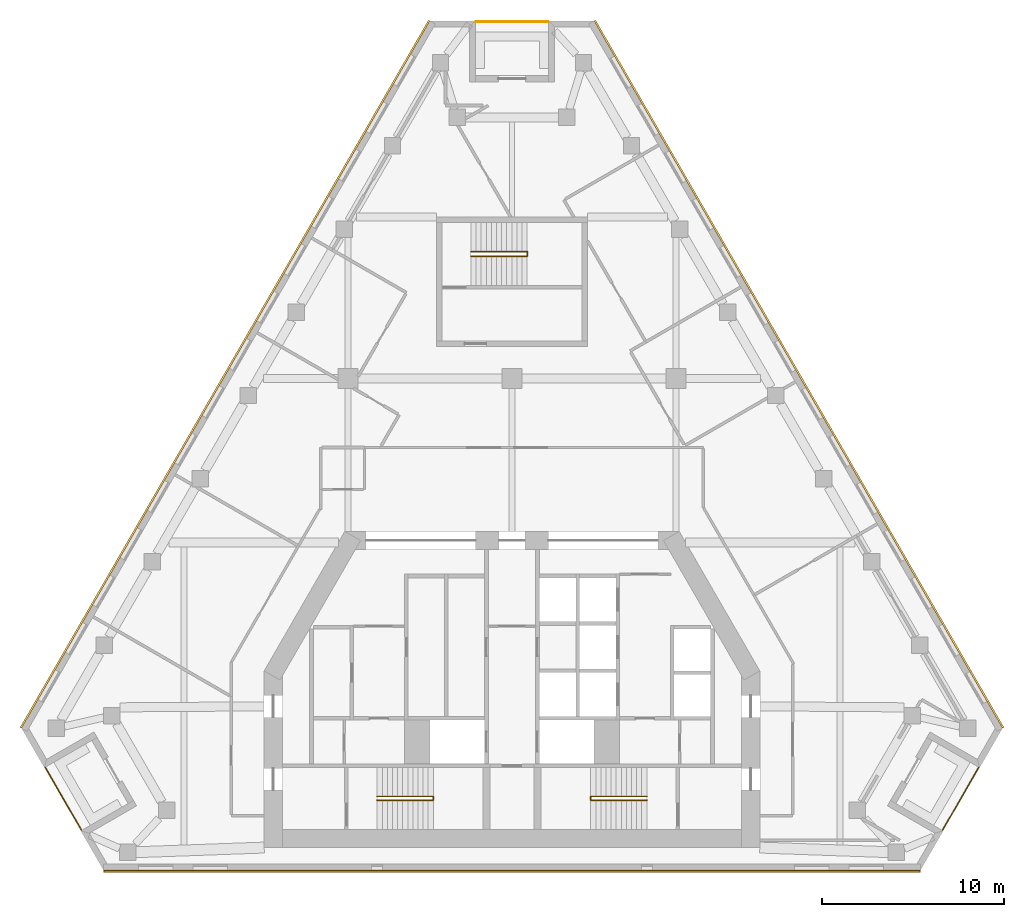
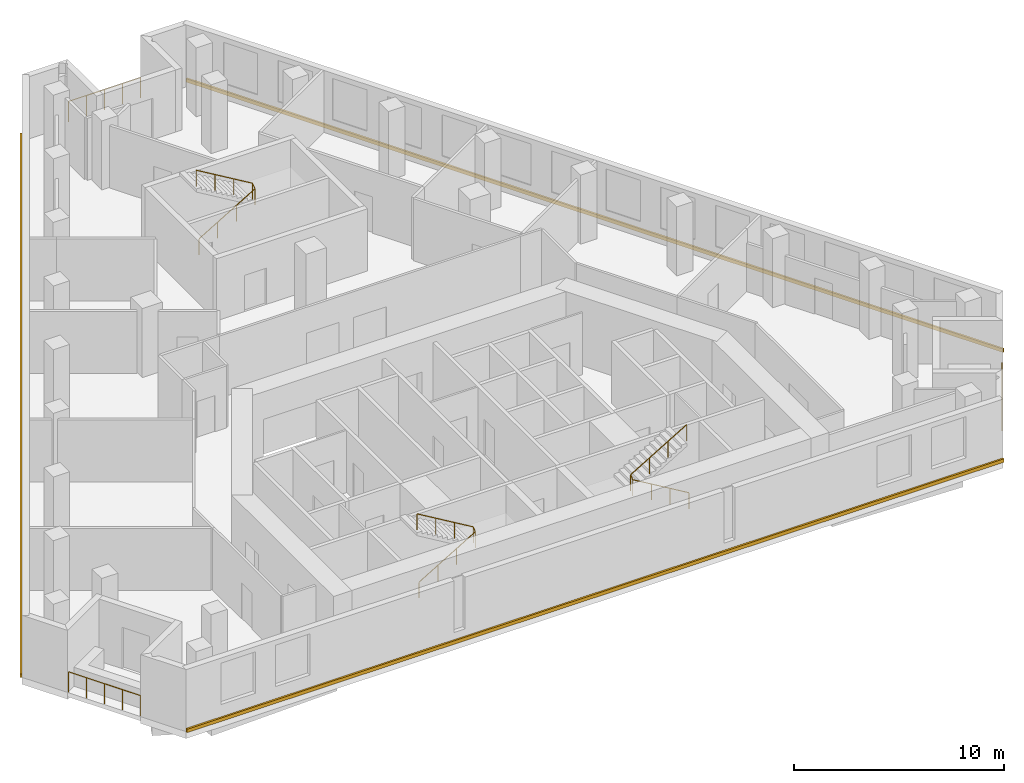
# One storey, part 8 of 8: 6 railings, 3 coverings.
"""IFC4 building model written with IfcOpenShell, lengths in metres."""

from ifc_helpers import new_model, si_unit, direction, frame, origin, origin_2d, place, context, subcontext, project, spatial, polyline, circle, outline, extrude, material, type_object, element, save


model = new_model("IFC4")

# Units and contexts
model_context = context("Model", 3, precision=1e-05, world=origin(), true_north=direction((0.0, 1.0)))
body_context = subcontext(model_context, "Body", "Model", "MODEL_VIEW")
ifc_project = project(units=[si_unit("LENGTHUNIT", "METRE"), si_unit("AREAUNIT", "SQUARE_METRE"), si_unit("VOLUMEUNIT", "CUBIC_METRE"), si_unit("PLANEANGLEUNIT", "RADIAN"), si_unit("MASSUNIT", "GRAM", prefix="KILO")], contexts=[model_context])

# Site, building, storey
site_placement = place(None, origin())
site = spatial("IfcSite", under=ifc_project, at=site_placement, CompositionType="ELEMENT")
building_placement = place(site_placement, origin())
building = spatial("IfcBuilding", under=site, at=building_placement, Name="Fogline Exchange Tower", CompositionType="ELEMENT")
storey_placement = place(building_placement, frame((0.0, 0.0, 227.5)))
storey = spatial("IfcBuildingStorey", under=building, at=storey_placement, Name="L51", CompositionType="ELEMENT", Elevation=227.5)

# Railings
ifc_material_1 = material(Name="Stainless steel 304", Category="steel")
railing_type_1 = type_object("IfcRailingType", Name="G1", PredefinedType="GUARDRAIL", material=ifc_material_1)
railing_1_placement = place(storey_placement, frame((-25.6103515625, 5.635986328125, 0.0)))
element("IfcRailing", 1, at=railing_1_placement, inside=storey, type_object=railing_type_1, Name="Balcony guard L51 SW", PredefinedType="GUARDRAIL", context=body_context, shape_type="SweptSolid", body=[
    extrude(circle(Radius=0.02392578125, at=origin_2d()), frame((0.0, 0.0, 1.17578125), z_axis=(0.500000102728, -0.866025344474, 0.0), x_axis=(0.866025344474, 0.500000102728, 0.0)), (0.0, 0.0, 1.0), 3.9580078125),
    extrude(circle(Radius=0.02099609375, at=origin_2d()), origin(), (0.0, 0.0, 1.0), 1.15185546875),
    extrude(circle(Radius=0.02099609375, at=origin_2d()), frame((0.49462890625, -0.85693359375, 0.0)), (0.0, 0.0, 1.0), 1.15185546875),
    extrude(circle(Radius=0.02099609375, at=origin_2d()), frame((0.989501953125, -1.7138671875, 0.0)), (0.0, 0.0, 1.0), 1.15185546875),
    extrude(circle(Radius=0.02099609375, at=origin_2d()), frame((1.484375, -2.57080078125, 0.0)), (0.0, 0.0, 1.0), 1.15185546875),
    extrude(circle(Radius=0.02099609375, at=origin_2d()), frame((1.97900390625, -3.427734375, 0.0)), (0.0, 0.0, 1.0), 1.15185546875),
])
railing_2_placement = place(storey_placement, frame((23.63134765625, 2.208251953125, 0.0)))
element("IfcRailing", 2, at=railing_2_placement, inside=storey, type_object=railing_type_1, Name="Balcony guard L51 SE", PredefinedType="GUARDRAIL", context=body_context, shape_type="SweptSolid", body=[
    extrude(circle(Radius=0.02392578125, at=origin_2d()), frame((0.0, 0.0, 1.17578125), z_axis=(0.500000102728, 0.866025344474, 0.0), x_axis=(-0.866025344474, 0.500000102728, 0.0)), (0.0, 0.0, 1.0), 3.9580078125),
    extrude(circle(Radius=0.02099609375, at=origin_2d()), origin(), (0.0, 0.0, 1.0), 1.15185546875),
    extrude(circle(Radius=0.02099609375, at=origin_2d()), frame((0.49462890625, 0.85693359375, 0.0)), (0.0, 0.0, 1.0), 1.15185546875),
    extrude(circle(Radius=0.02099609375, at=origin_2d()), frame((0.989501953125, 1.7138671875, 0.0)), (0.0, 0.0, 1.0), 1.15185546875),
    extrude(circle(Radius=0.02099609375, at=origin_2d()), frame((1.484375, 2.57080078125, 0.0)), (0.0, 0.0, 1.0), 1.15185546875),
    extrude(circle(Radius=0.02099609375, at=origin_2d()), frame((1.97900390625, 3.427734375, 0.0)), (0.0, 0.0, 1.0), 1.15185546875),
])
railing_3_placement = place(storey_placement, frame((1.97900390625, 46.566650390625, 0.0)))
element("IfcRailing", 3, at=railing_3_placement, inside=storey, type_object=railing_type_1, Name="Balcony guard L51 N", PredefinedType="GUARDRAIL", context=body_context, shape_type="SweptSolid", body=[
    extrude(circle(Radius=0.02392578125, at=origin_2d()), frame((0.0, 0.0, 1.17578125), z_axis=(-1.0, 0.0, 0.0), x_axis=(0.0, -1.0, 0.0)), (0.0, 0.0, 1.0), 3.9580078125),
    extrude(circle(Radius=0.02099609375, at=origin_2d()), origin(), (0.0, 0.0, 1.0), 1.15185546875),
    extrude(circle(Radius=0.02099609375, at=origin_2d()), frame((-0.989501953125, 0.0, 0.0)), (0.0, 0.0, 1.0), 1.15185546875),
    extrude(circle(Radius=0.02099609375, at=origin_2d()), frame((-1.97900390625, 0.0, 0.0)), (0.0, 0.0, 1.0), 1.15185546875),
    extrude(circle(Radius=0.02099609375, at=origin_2d()), frame((-2.968505859375, 0.0, 0.0)), (0.0, 0.0, 1.0), 1.15185546875),
    extrude(circle(Radius=0.02099609375, at=origin_2d()), frame((-3.9580078125, 0.0, 0.0)), (0.0, 0.0, 1.0), 1.15185546875),
])
ifc_material_2 = material(Name="Steel Q235B", Category="steel")
railing_type_2 = type_object("IfcRailingType", Name="RL-HR", PredefinedType="HANDRAIL", material=ifc_material_2)
railing_4_placement = place(storey_placement, frame((-7.39990234375, 3.85009765625, 0.166748046875)))
element("IfcRailing", 4, at=railing_4_placement, inside=storey, type_object=railing_type_2, Name="Handrail ST1", PredefinedType="HANDRAIL", context=body_context, shape_type="SweptSolid", body=[
    extrude(circle(Radius=0.02392578125, at=origin_2d()), frame((0.0, 0.0, 0.92578125), z_axis=(0.859290745958, 0.0, 0.51148745235), x_axis=(0.0, 1.0, 0.0)), (0.0, 0.0, 1.0), 3.584228515625),
    extrude(circle(Radius=0.02392578125, at=origin_2d()), frame((3.079833984375, 0.0, 2.75927734375), z_axis=(0.0, 0.767990643491, 0.640461061666), x_axis=(-1.0, 0.0, 0.0)), (0.0, 0.0, 1.0), 0.26025390625),
    extrude(circle(Radius=0.02392578125, at=origin_2d()), frame((3.079833984375, 0.199951171875, 2.92578125), z_axis=(-0.859290745958, 0.0, 0.51148745235), x_axis=(0.0, -1.0, 0.0)), (0.0, 0.0, 1.0), 3.584228515625),
    extrude(circle(Radius=0.02099609375, at=origin_2d()), origin(), (0.0, 0.0, 1.0), 0.90185546875),
    extrude(circle(Radius=0.02099609375, at=origin_2d()), frame((1.026611328125, 0.0, 0.611083984375)), (0.0, 0.0, 1.0), 0.90185546875),
    extrude(circle(Radius=0.02099609375, at=origin_2d()), frame((2.05322265625, 0.0, 1.22216796875)), (0.0, 0.0, 1.0), 0.90185546875),
    extrude(circle(Radius=0.02099609375, at=origin_2d()), frame((3.079833984375, 0.0, 1.833251953125)), (0.0, 0.0, 1.0), 0.90185546875),
    extrude(circle(Radius=0.02099609375, at=origin_2d()), frame((3.079833984375, 0.199951171875, 2.0)), (0.0, 0.0, 1.0), 0.90185546875),
    extrude(circle(Radius=0.02099609375, at=origin_2d()), frame((2.05322265625, 0.199951171875, 2.611083984375)), (0.0, 0.0, 1.0), 0.90185546875),
    extrude(circle(Radius=0.02099609375, at=origin_2d()), frame((1.026611328125, 0.199951171875, 3.22216796875)), (0.0, 0.0, 1.0), 0.90185546875),
    extrude(circle(Radius=0.02099609375, at=origin_2d()), frame((0.0, 0.199951171875, 3.833251953125)), (0.0, 0.0, 1.0), 0.90185546875),
])
railing_5_placement = place(storey_placement, frame((7.39990234375, 3.85009765625, 0.166748046875)))
element("IfcRailing", 5, at=railing_5_placement, inside=storey, type_object=railing_type_2, Name="Handrail ST2", PredefinedType="HANDRAIL", context=body_context, shape_type="SweptSolid", body=[
    extrude(circle(Radius=0.02392578125, at=origin_2d()), frame((0.0, 0.0, 0.92578125), z_axis=(-0.859290745958, 0.0, 0.51148745235), x_axis=(0.0, -1.0, 0.0)), (0.0, 0.0, 1.0), 3.584228515625),
    extrude(circle(Radius=0.02392578125, at=origin_2d()), frame((-3.079833984375, 0.0, 2.75927734375), z_axis=(0.0, 0.767990643491, 0.640461061666), x_axis=(-1.0, 0.0, 0.0)), (0.0, 0.0, 1.0), 0.26025390625),
    extrude(circle(Radius=0.02392578125, at=origin_2d()), frame((-3.079833984375, 0.199951171875, 2.92578125), z_axis=(0.859290745958, 0.0, 0.51148745235), x_axis=(0.0, 1.0, 0.0)), (0.0, 0.0, 1.0), 3.584228515625),
    extrude(circle(Radius=0.02099609375, at=origin_2d()), origin(), (0.0, 0.0, 1.0), 0.90185546875),
    extrude(circle(Radius=0.02099609375, at=origin_2d()), frame((-1.026611328125, 0.0, 0.611083984375)), (0.0, 0.0, 1.0), 0.90185546875),
    extrude(circle(Radius=0.02099609375, at=origin_2d()), frame((-2.05322265625, 0.0, 1.22216796875)), (0.0, 0.0, 1.0), 0.90185546875),
    extrude(circle(Radius=0.02099609375, at=origin_2d()), frame((-3.079833984375, 0.0, 1.833251953125)), (0.0, 0.0, 1.0), 0.90185546875),
    extrude(circle(Radius=0.02099609375, at=origin_2d()), frame((-3.079833984375, 0.199951171875, 2.0)), (0.0, 0.0, 1.0), 0.90185546875),
    extrude(circle(Radius=0.02099609375, at=origin_2d()), frame((-2.05322265625, 0.199951171875, 2.611083984375)), (0.0, 0.0, 1.0), 0.90185546875),
    extrude(circle(Radius=0.02099609375, at=origin_2d()), frame((-1.026611328125, 0.199951171875, 3.22216796875)), (0.0, 0.0, 1.0), 0.90185546875),
    extrude(circle(Radius=0.02099609375, at=origin_2d()), frame((0.0, 0.199951171875, 3.833251953125)), (0.0, 0.0, 1.0), 0.90185546875),
])
railing_6_placement = place(storey_placement, frame((-2.25, 33.70703125, 0.166748046875)))
element("IfcRailing", 6, at=railing_6_placement, inside=storey, type_object=railing_type_2, Name="Handrail ST3", PredefinedType="HANDRAIL", context=body_context, shape_type="SweptSolid", body=[
    extrude(circle(Radius=0.02392578125, at=origin_2d()), frame((0.0, 0.0, 0.92578125), z_axis=(0.859308565015, 0.0, 0.511457515432), x_axis=(0.0, 1.0, 0.0)), (0.0, 0.0, 1.0), 3.58447265625),
    extrude(circle(Radius=0.02392578125, at=origin_2d()), frame((3.080078125, 0.0, 2.75927734375), z_axis=(0.0, 0.831925284441, 0.554887665306), x_axis=(-1.0, 0.0, 0.0)), (0.0, 0.0, 1.0), 0.300537109375),
    extrude(circle(Radius=0.02392578125, at=origin_2d()), frame((3.080078125, 0.25, 2.92578125), z_axis=(-0.859308565015, 0.0, 0.511457515432), x_axis=(0.0, -1.0, 0.0)), (0.0, 0.0, 1.0), 3.58447265625),
    extrude(circle(Radius=0.02099609375, at=origin_2d()), origin(), (0.0, 0.0, 1.0), 0.90185546875),
    extrude(circle(Radius=0.02099609375, at=origin_2d()), frame((1.026611328125, 0.0, 0.611083984375)), (0.0, 0.0, 1.0), 0.90185546875),
    extrude(circle(Radius=0.02099609375, at=origin_2d()), frame((2.053466796875, 0.0, 1.22216796875)), (0.0, 0.0, 1.0), 0.90185546875),
    extrude(circle(Radius=0.02099609375, at=origin_2d()), frame((3.080078125, 0.0, 1.833251953125)), (0.0, 0.0, 1.0), 0.90185546875),
    extrude(circle(Radius=0.02099609375, at=origin_2d()), frame((3.080078125, 0.25, 2.0)), (0.0, 0.0, 1.0), 0.90185546875),
    extrude(circle(Radius=0.02099609375, at=origin_2d()), frame((2.053466796875, 0.25, 2.611083984375)), (0.0, 0.0, 1.0), 0.90185546875),
    extrude(circle(Radius=0.02099609375, at=origin_2d()), frame((1.026611328125, 0.25, 3.22216796875)), (0.0, 0.0, 1.0), 0.90185546875),
    extrude(circle(Radius=0.02099609375, at=origin_2d()), frame((0.0, 0.25, 3.833251953125)), (0.0, 0.0, 1.0), 0.90185546875),
])

# Coverings
ifc_material_3 = material(Name="Brick masonry", Category="masonry")
covering_type = type_object("IfcCoveringType", Name="SB1", PredefinedType="CLADDING", material=ifc_material_3)
covering_1_placement = place(storey_placement, origin())
element("IfcCovering", 7, at=covering_1_placement, inside=storey, type_object=covering_type, Name="Stringcourse band L51 S", PredefinedType="CLADDING", context=body_context, shape_type="SweptSolid", body=[
    extrude(outline(polyline([(-22.4140625, 0.0), (-22.4140625, -0.10009765625), (22.4140625, -0.10009765625), (22.4140625, 0.0), (-22.4140625, 0.0)])), origin(), (0.0, 0.0, 1.0), 0.199951171875),
])
covering_2_placement = place(storey_placement, origin())
element("IfcCovering", 8, at=covering_2_placement, inside=storey, type_object=covering_type, Name="Stringcourse band L51 E", PredefinedType="CLADDING", context=body_context, shape_type="SweptSolid", body=[
    extrude(outline(polyline([(26.9140625, 7.794189453125), (27.000732421875, 7.84423828125), (4.586669921875, 46.666748046875), (4.5, 46.61669921875), (26.9140625, 7.794189453125)])), origin(), (0.0, 0.0, 1.0), 0.199951171875),
])
covering_3_placement = place(storey_placement, origin())
element("IfcCovering", 9, at=covering_3_placement, inside=storey, type_object=covering_type, Name="Stringcourse band L51 W", PredefinedType="CLADDING", context=body_context, shape_type="SweptSolid", body=[
    extrude(outline(polyline([(-4.5, 46.61669921875), (-4.586669921875, 46.666748046875), (-27.000732421875, 7.84423828125), (-26.9140625, 7.794189453125), (-4.5, 46.61669921875)])), origin(), (0.0, 0.0, 1.0), 0.199951171875),
])

save(model, "model.ifc")
